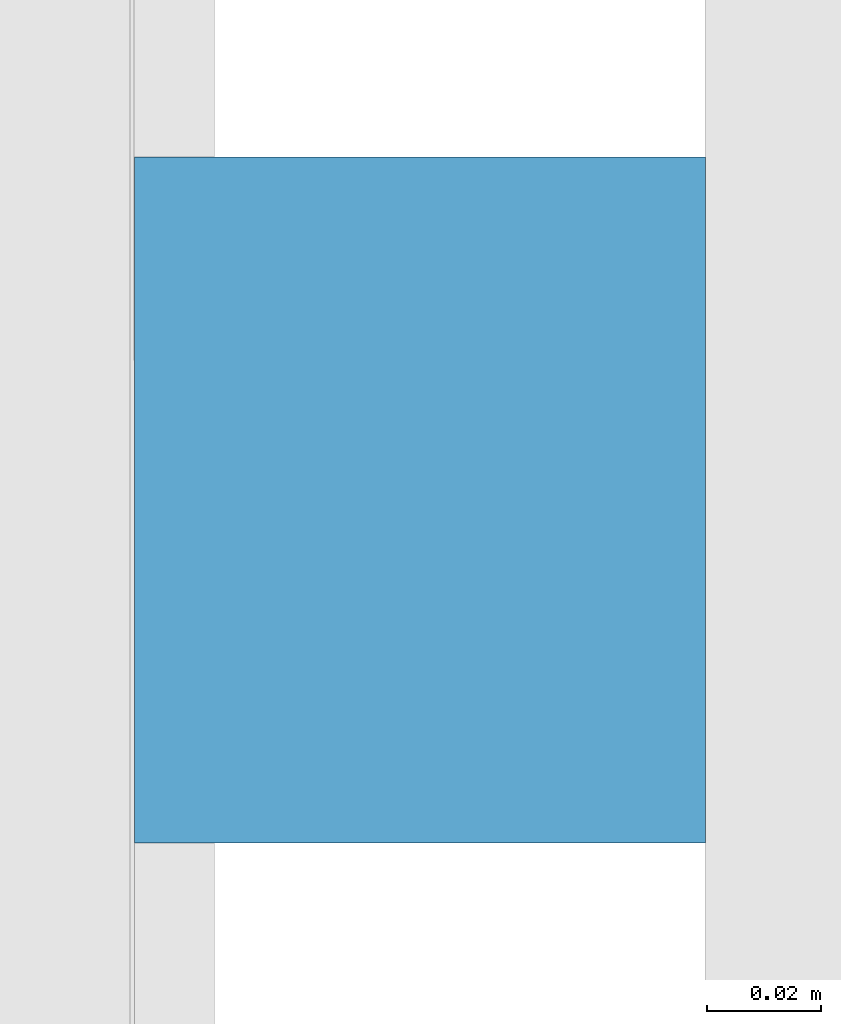
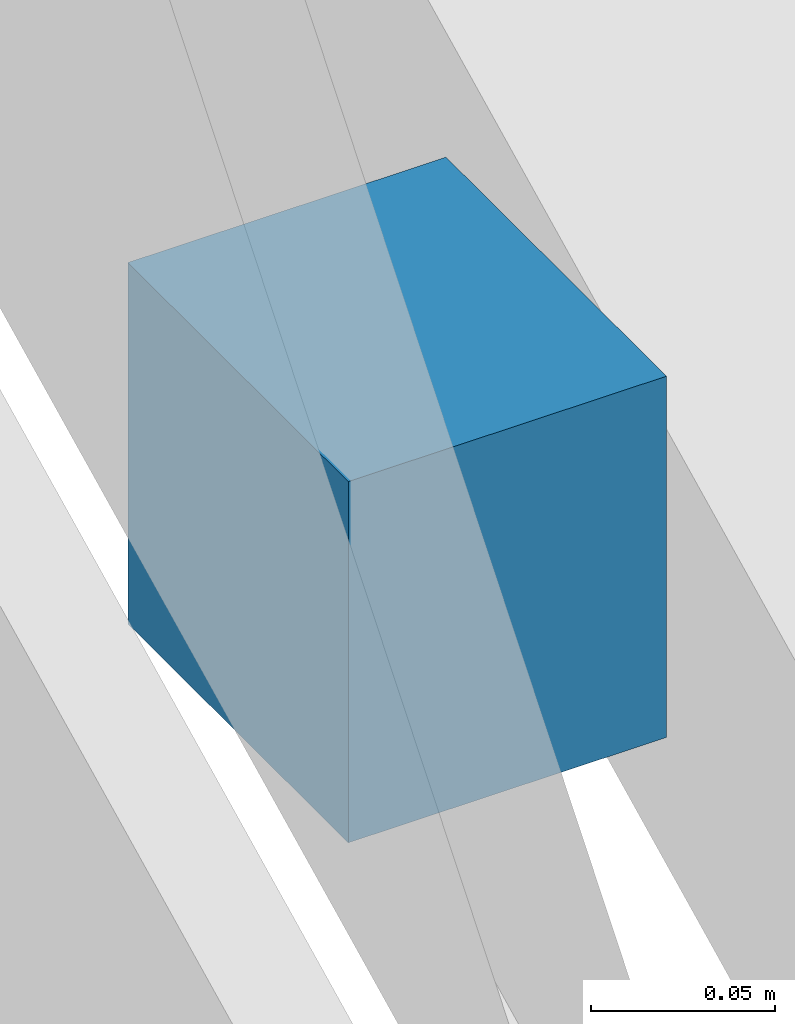
# One storey, part 21 of 22: 1 discrete accessory.
"""IFC4 building model written with IfcOpenShell, lengths in metres."""

from ifc_helpers import new_model, si_unit, direction, frame, origin, origin_2d, place, context, subcontext, project, spatial, rectangle, extrude, material, type_object, element, save


model = new_model("IFC4")

# Units and contexts
model_context = context("Model", 3, precision=1e-05, world=origin(), true_north=direction((0.0, 1.0)))
body_context = subcontext(model_context, "Body", "Model", "MODEL_VIEW")
ifc_project = project(units=[si_unit("LENGTHUNIT", "METRE"), si_unit("AREAUNIT", "SQUARE_METRE"), si_unit("VOLUMEUNIT", "CUBIC_METRE"), si_unit("PLANEANGLEUNIT", "RADIAN"), si_unit("MASSUNIT", "GRAM", prefix="KILO")], contexts=[model_context])

# Site, building, storey
site_placement = place(None, origin())
site = spatial("IfcSite", under=ifc_project, at=site_placement, CompositionType="ELEMENT")
building_placement = place(site_placement, origin())
building = spatial("IfcBuilding", under=site, at=building_placement, Name="Crosswind Convention Tower", CompositionType="ELEMENT")
storey_placement = place(building_placement, frame((0.0, 0.0, 154.699951171875)))
storey = spatial("IfcBuildingStorey", under=building, at=storey_placement, Name="L32", CompositionType="ELEMENT", Elevation=154.699951171875)

# Discrete accessory
ifc_material = material(Name="Stainless steel", Category="steel")
discrete_accessory_type = type_object("IfcDiscreteAccessoryType", Name="BAGUETTE BRACKET BK3", PredefinedType="BRACKET", material=ifc_material)
discrete_accessory_placement = place(storey_placement, frame((161.72607421875, 91.767578125, 1.705078125), z_axis=(0.0, 0.0, 1.0), x_axis=(0.0, 1.0, 0.0)))
element("IfcDiscreteAccessory", 1, at=discrete_accessory_placement, inside=storey, type_object=discrete_accessory_type, Name="BK3 baguette bracket", PredefinedType="BRACKET", context=body_context, shape_type="SweptSolid", body=[
    extrude(rectangle(XDim=0.1201171875, YDim=0.10009765625, at=origin_2d()), origin(), (0.0, 0.0, 1.0), 0.1201171875),
])

save(model, "model.ifc")
